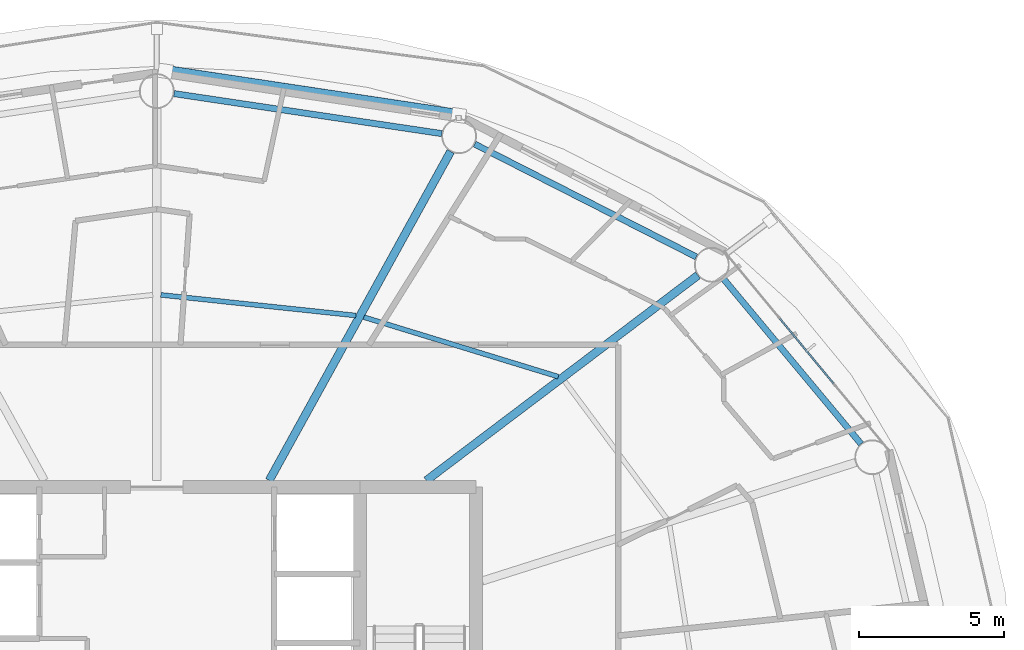
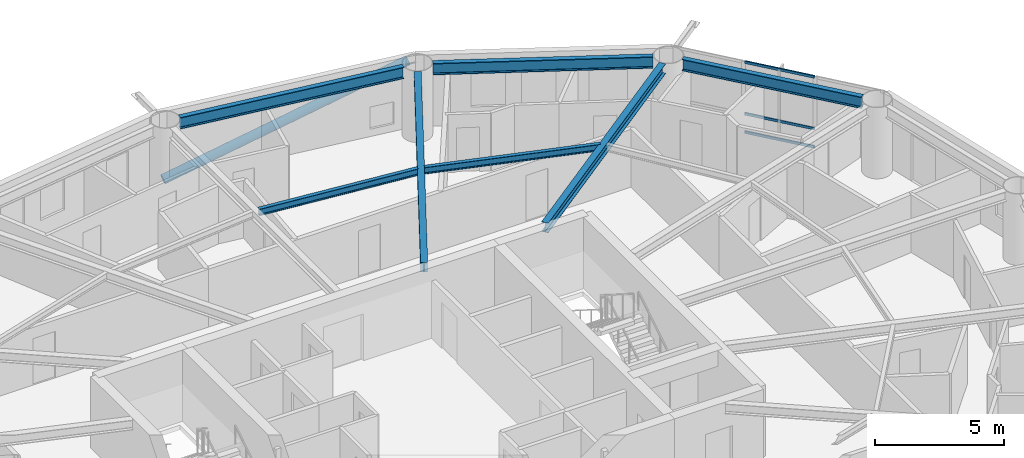
# One storey, part 14 of 27: 7 beams, 4 members, 1 element without a shape of its own.
"""IFC4 building model written with IfcOpenShell, lengths in metres."""

from ifc_helpers import new_model, si_unit, direction, frame, origin, origin_2d, place, context, subcontext, project, spatial, hollow_rectangle, hollow_circle, i_section, extrude, material, layer, layer_set, material_profile, profile_set, type_object, element, aggregate, save


model = new_model("IFC4")

# Units and contexts
model_context = context("Model", 3, precision=1e-05, world=origin(), true_north=direction((0.0, 1.0)))
body_context = subcontext(model_context, "Body", "Model", "MODEL_VIEW")
ifc_project = project(units=[si_unit("LENGTHUNIT", "METRE"), si_unit("AREAUNIT", "SQUARE_METRE"), si_unit("VOLUMEUNIT", "CUBIC_METRE"), si_unit("PLANEANGLEUNIT", "RADIAN"), si_unit("MASSUNIT", "GRAM", prefix="KILO")], contexts=[model_context])

# Site, building, storey
site_placement = place(None, origin())
site = spatial("IfcSite", under=ifc_project, at=site_placement, CompositionType="ELEMENT")
building_placement = place(site_placement, origin())
building = spatial("IfcBuilding", under=site, at=building_placement, Name="Sarneth Arch Tower", CompositionType="ELEMENT")
storey_placement = place(building_placement, frame((0.0, 0.0, 193.800048828125)))
storey = spatial("IfcBuildingStorey", under=building, at=storey_placement, Name="L49", CompositionType="ELEMENT", Elevation=193.800048828125)

# Beams
ifc_material_1 = material(Name="Steel S355", Category="steel")
ifc_material_profile_1 = material_profile(ifc_material_1, i_section(OverallWidth=0.1669921875, OverallDepth=0.31689453125, WebThickness=0.007568359375, FlangeThickness=0.01318359375, FilletRadius=0.012939453125, at=origin_2d()), Name="W310x52")
ifc_profile_set_1 = profile_set([ifc_material_profile_1], Name="Steel S355")
beam_type_1 = type_object("IfcBeamType", Name="BM-JOIST-310B", PredefinedType="JOIST", material=ifc_profile_set_1)
beam_1_placement = place(storey_placement, frame((61.84130859375, 52.602783203125, 3.221435546875), z_axis=(-0.956178669891, 0.292783796076, 0.0), x_axis=(-0.292783796076, -0.956178669891, 0.0)))
element("IfcBeam", 1, at=beam_1_placement, inside=storey, type_object=beam_type_1, Name="L49 Secondary floor joist 03", PredefinedType="JOIST", context=body_context, shape_type="SweptSolid", body=[
    extrude(i_section(OverallWidth=0.1669921875, OverallDepth=0.31689453125, WebThickness=0.007568359375, FlangeThickness=0.01318359375, FilletRadius=0.012939453125, at=origin_2d()), origin(), (0.0, 0.0, 1.0), 7.010986328125),
])
beam_2_placement = place(storey_placement, frame((54.8642578125, 54.711181640625, 3.221435546875), z_axis=(-0.994447340543, 0.105235387994, 0.0), x_axis=(-0.105235387994, -0.994447340543, 0.0)))
element("IfcBeam", 2, at=beam_2_placement, inside=storey, type_object=beam_type_1, Name="L49 Secondary floor joist 04", PredefinedType="JOIST", context=body_context, shape_type="SweptSolid", body=[
    extrude(i_section(OverallWidth=0.1669921875, OverallDepth=0.31689453125, WebThickness=0.007568359375, FlangeThickness=0.01318359375, FilletRadius=0.012939453125, at=origin_2d()), origin(), (0.0, 0.0, 1.0), 6.7626953125),
])
ifc_material_2 = material(Name="Steel S355", Category="steel")
ifc_material_profile_2 = material_profile(ifc_material_2, i_section(OverallWidth=0.280029296875, OverallDepth=0.462890625, WebThickness=0.0107421875, FlangeThickness=0.017333984375, FilletRadius=0.01806640625, at=origin_2d()), Name="W460x113")
ifc_profile_set_2 = profile_set([ifc_material_profile_2], Name="Steel S355")
beam_type_2 = type_object("IfcBeamType", Name="BM-RAD-460A", PredefinedType="BEAM", material=ifc_profile_set_2)
beam_3_placement = place(storey_placement, frame((57.29541015625, 49.02490234375, 3.1484375), z_axis=(0.797784574467, 0.602942594898, 0.0), x_axis=(-0.602942594898, 0.797784574467, 0.0)))
element("IfcBeam", 3, at=beam_3_placement, inside=storey, type_object=beam_type_2, Name="L49 Radial floor girder 03", PredefinedType="BEAM", context=body_context, shape_type="SweptSolid", body=[
    extrude(i_section(OverallWidth=0.280029296875, OverallDepth=0.462890625, WebThickness=0.0107421875, FlangeThickness=0.017333984375, FilletRadius=0.01806640625, at=origin_2d()), origin(), (0.0, 0.0, 1.0), 11.73193359375),
])
beam_4_placement = place(storey_placement, frame((51.875, 49.02490234375, 3.1484375), z_axis=(0.483010082599, 0.875614789795, 0.0), x_axis=(-0.875614789795, 0.483010082599, 0.0)))
element("IfcBeam", 4, at=beam_4_placement, inside=storey, type_object=beam_type_2, Name="L49 Radial floor girder 04", PredefinedType="BEAM", context=body_context, shape_type="SweptSolid", body=[
    extrude(i_section(OverallWidth=0.280029296875, OverallDepth=0.462890625, WebThickness=0.0107421875, FlangeThickness=0.017333984375, FilletRadius=0.01806640625, at=origin_2d()), origin(), (0.0, 0.0, 1.0), 12.954345703125),
])
ifc_material_3 = material(Name="Steel S355", Category="steel")
ifc_material_profile_3 = material_profile(ifc_material_3, i_section(OverallWidth=0.214111328125, OverallDepth=0.549072265625, WebThickness=0.0146484375, FlangeThickness=0.023681640625, FilletRadius=0.01806640625, at=origin_2d()), Name="W530x138")
ifc_profile_set_3 = profile_set([ifc_material_profile_3], Name="Steel S355")
beam_type_3 = type_object("IfcBeamType", Name="BM-RAD-530A", PredefinedType="BEAM", material=ifc_profile_set_3)
beam_5_placement = place(storey_placement, frame((72.278076171875, 50.286865234375, 3.10546875), z_axis=(-0.640161793626, 0.768240117399, 0.0), x_axis=(-0.768240117399, -0.640161793626, 0.0)))
element("IfcBeam", 5, at=beam_5_placement, inside=storey, type_object=beam_type_3, Name="L49 Perimeter spandrel beam 02", PredefinedType="BEAM", context=body_context, shape_type="SweptSolid", body=[
    extrude(i_section(OverallWidth=0.214111328125, OverallDepth=0.549072265625, WebThickness=0.0146484375, FlangeThickness=0.023681640625, FilletRadius=0.01806640625, at=origin_2d()), origin(), (0.0, 0.0, 1.0), 7.43603515625),
])
beam_6_placement = place(storey_placement, frame((66.59912109375, 56.732421875, 3.10546875), z_axis=(-0.891250372735, 0.453511601945, 0.0), x_axis=(-0.453511601945, -0.891250372735, 0.0)))
element("IfcBeam", 6, at=beam_6_placement, inside=storey, type_object=beam_type_3, Name="L49 Perimeter spandrel beam 03", PredefinedType="BEAM", context=body_context, shape_type="SweptSolid", body=[
    extrude(i_section(OverallWidth=0.214111328125, OverallDepth=0.549072265625, WebThickness=0.0146484375, FlangeThickness=0.023681640625, FilletRadius=0.01806640625, at=origin_2d()), origin(), (0.0, 0.0, 1.0), 8.5751953125),
])
beam_7_placement = place(storey_placement, frame((57.828369140625, 60.98193359375, 3.10546875), z_axis=(-0.98902783755, 0.147729267756, 0.0), x_axis=(-0.147729267756, -0.98902783755, 0.0)))
element("IfcBeam", 7, at=beam_7_placement, inside=storey, type_object=beam_type_3, Name="L49 Perimeter spandrel beam 04", PredefinedType="BEAM", context=body_context, shape_type="SweptSolid", body=[
    extrude(i_section(OverallWidth=0.214111328125, OverallDepth=0.549072265625, WebThickness=0.0146484375, FlangeThickness=0.023681640625, FilletRadius=0.01806640625, at=origin_2d()), origin(), (0.0, 0.0, 1.0), 9.33740234375),
])

# Curtain wall, members
ifc_material_4 = material(Name="Anodised aluminium Type AA25 and solar-control low-e laminated IGU", Category="aluminium")
ifc_layer = layer(ifc_material_4, 0.169921875)
ifc_layer_set = layer_set([ifc_layer], Name="Anodised aluminium Type AA25 and solar-control low-e laminated IGU")
curtain_wall_type = type_object("IfcCurtainWallType", Name="CW-RES-MID", PredefinedType="NOTDEFINED", material=ifc_layer_set)
curtain_wall_placement = place(storey_placement, origin())
curtain_wall = element("IfcCurtainWall", 8, at=curtain_wall_placement, inside=storey, type_object=curtain_wall_type, Name="L49 Unitised curtain wall facet 02", PredefinedType="NOTDEFINED")
ifc_material_5 = material(Name="Anodised Aluminium 6063-T6", Category="aluminium")
ifc_material_profile_4 = material_profile(ifc_material_5, hollow_rectangle(XDim=0.06005859375, YDim=0.1201171875, WallThickness=0.00390625, at=origin_2d()), Name="AL-TRAN-120x60x4")
ifc_profile_set_4 = profile_set([ifc_material_profile_4], Name="Anodised Aluminium 6063-T6")
member_type_1 = type_object("IfcMemberType", Name="CW-TRANSOM", PredefinedType="USERDEFINED", material=ifc_profile_set_4)
member_1_placement = place(storey_placement, frame((71.327880859375, 52.36962890625, 0.030029296875), z_axis=(-0.637329777791, 0.770591171985, 0.0), x_axis=(-0.770591171985, -0.637329777791, 0.0)))
member_1 = element("IfcMember", 9, at=member_1_placement, type_object=member_type_1, Name="CW-SYS-5 transom 2.1", ObjectType="TRANSOM", PredefinedType="USERDEFINED", context=body_context, shape_type="SweptSolid", body=[
    extrude(hollow_rectangle(XDim=0.06005859375, YDim=0.1201171875, WallThickness=0.00390625, at=origin_2d()), origin(), (0.0, 0.0, 1.0), 2.898193359375),
])
member_2_placement = place(storey_placement, frame((71.327880859375, 52.36962890625, 0.89990234375), z_axis=(-0.637329777791, 0.770591171985, 0.0), x_axis=(-0.770591171985, -0.637329777791, 0.0)))
member_2 = element("IfcMember", 10, at=member_2_placement, type_object=member_type_1, Name="CW-SYS-5 transom 2.2", ObjectType="TRANSOM", PredefinedType="USERDEFINED", context=body_context, shape_type="SweptSolid", body=[
    extrude(hollow_rectangle(XDim=0.06005859375, YDim=0.1201171875, WallThickness=0.00390625, at=origin_2d()), origin(), (0.0, 0.0, 1.0), 2.898193359375),
])
member_3_placement = place(storey_placement, frame((71.327880859375, 52.36962890625, 3.349853515625), z_axis=(-0.637329777791, 0.770591171985, 0.0), x_axis=(-0.770591171985, -0.637329777791, 0.0)))
member_3 = element("IfcMember", 11, at=member_3_placement, type_object=member_type_1, Name="CW-SYS-5 transom 2.3", ObjectType="TRANSOM", PredefinedType="USERDEFINED", context=body_context, shape_type="SweptSolid", body=[
    extrude(hollow_rectangle(XDim=0.06005859375, YDim=0.1201171875, WallThickness=0.00390625, at=origin_2d()), origin(), (0.0, 0.0, 1.0), 2.898193359375),
])
aggregate(curtain_wall, [member_1, member_2, member_3])

# Member
ifc_material_6 = material(Name="Steel S355", Category="steel")
ifc_material_profile_5 = material_profile(ifc_material_6, hollow_circle(Radius=0.202880859375, WallThickness=0.01611328125, at=origin_2d()), Name="CHS406x16")
ifc_profile_set_5 = profile_set([ifc_material_profile_5], Name="Steel S355")
member_type_2 = type_object("IfcMemberType", Name="MEM-DIAG-BR2", PredefinedType="BRACE", material=ifc_profile_set_5)
member_4_placement = place(storey_placement, frame((48.296630859375, 63.13525390625, 0.02001953125), z_axis=(0.948052912183, -0.142822782379, 0.284248708942), x_axis=(0.148967610144, 0.988842075929, 0.0)))
element("IfcMember", 12, at=member_4_placement, inside=storey, type_object=member_type_2, Name="L49 Perimeter frame diagonal 04", PredefinedType="BRACE", context=body_context, shape_type="SweptSolid", body=[
    extrude(hollow_circle(Radius=0.202880859375, WallThickness=0.01611328125, at=origin_2d()), origin(), (0.0, 0.0, 1.0), 10.66162109375),
])

save(model, "model.ifc")
